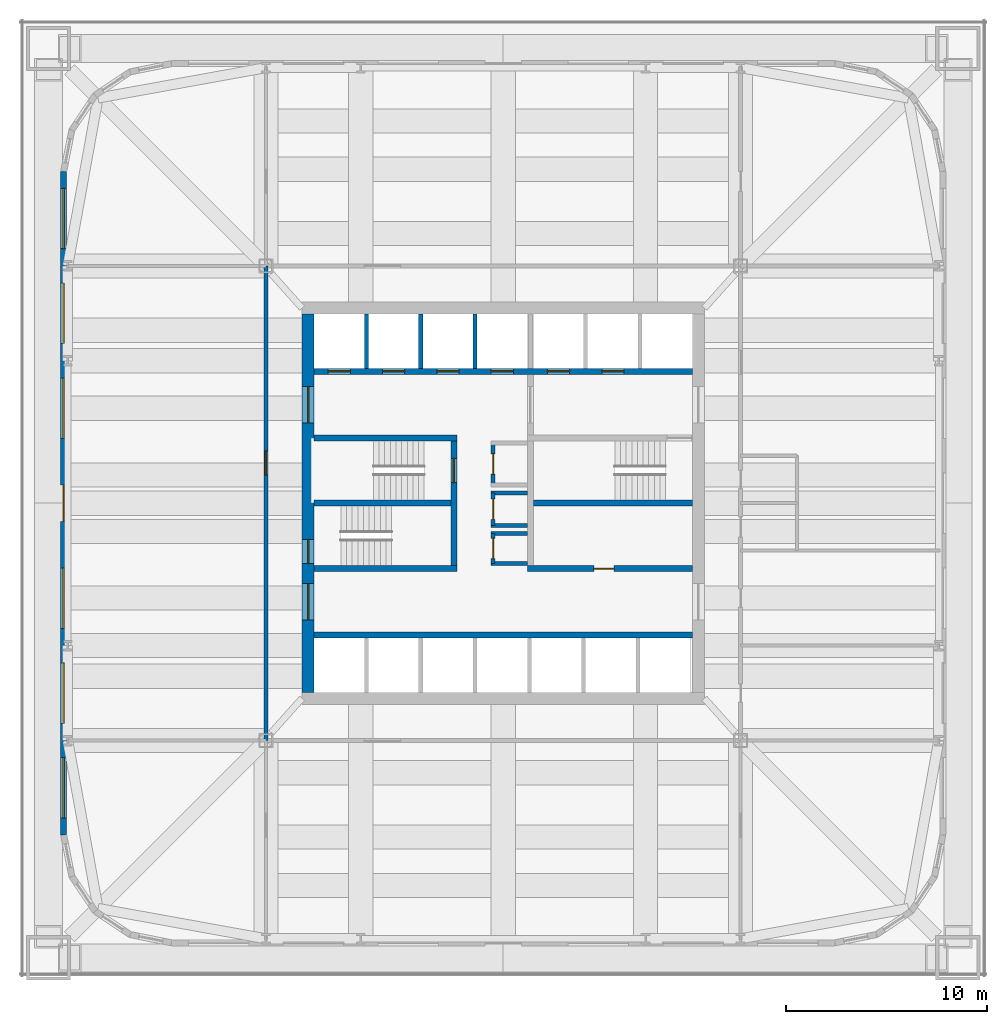
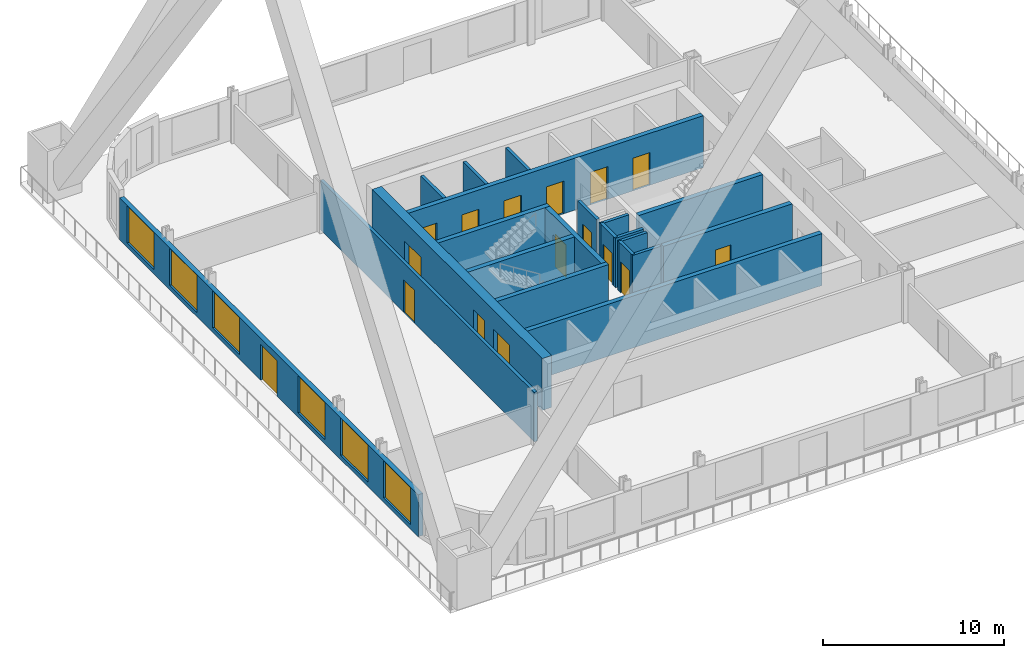
# One storey, part 3 of 7: 21 walls, 16 doors, 6 windows, 22 openings.
"""IFC4 building model written with IfcOpenShell, lengths in metres."""

from ifc_helpers import new_model, si_unit, direction, frame, frame_2d, origin, place, context, subcontext, project, spatial, rectangle, extrude, material, layer, layer_set, type_object, element, fill, save


model = new_model("IFC4")

# Units and contexts
model_context = context("Model", 3, precision=1e-05, world=origin(), true_north=direction((0.0, 1.0)))
body_context = subcontext(model_context, "Body", "Model", "MODEL_VIEW")
ifc_project = project(units=[si_unit("LENGTHUNIT", "METRE"), si_unit("AREAUNIT", "SQUARE_METRE"), si_unit("VOLUMEUNIT", "CUBIC_METRE"), si_unit("PLANEANGLEUNIT", "RADIAN"), si_unit("MASSUNIT", "GRAM", prefix="KILO")], contexts=[model_context])

# Site, building, storey
site_placement = place(None, origin())
site = spatial("IfcSite", under=ifc_project, at=site_placement, CompositionType="ELEMENT")
building_placement = place(site_placement, origin())
building = spatial("IfcBuilding", under=site, at=building_placement, Name="Turquesa Mirador Hotel Tower", CompositionType="ELEMENT")
storey_placement = place(building_placement, frame((0.0, 0.0, 25.0)))
storey = spatial("IfcBuildingStorey", under=building, at=storey_placement, Name="L05", CompositionType="ELEMENT", Elevation=25.0)

# Wall, openings, doors
ifc_material_1 = material(Name="Concrete C50/60", Category="concrete")
ifc_layer_1 = layer(ifc_material_1, 0.300048828125)
ifc_layer_set_1 = layer_set([ifc_layer_1], Name="CORE INNER WALL 300")
wall_type_1 = type_object("IfcWallType", Name="CORE INNER WALL 300", PredefinedType="SHEAR", material=ifc_layer_set_1)
wall_1_placement = place(storey_placement, frame((45.60009765625, 51.550048828125, 0.0), z_axis=(0.0, 0.0, 1.0), x_axis=(1.0, 0.0, 0.0)))
wall_1 = element("IfcWall", 1, at=wall_1_placement, inside=storey, type_object=wall_type_1, Name="Core wall NL", PredefinedType="SHEAR", context=body_context, shape_type="SweptSolid", body=[
    extrude(rectangle(XDim=18.7998046875, YDim=0.300048828125, at=frame_2d((9.39990234375, 0.0))), origin(), (0.0, 0.0, 1.0), 3.5),
])
opening_1_placement = place(wall_1_placement, frame((0.699951171875, 0.0, 0.0)))
opening_1 = element("IfcOpeningElement", 2, at=opening_1_placement, cuts=wall_1, Name="Opening LD", PredefinedType="OPENING", context=body_context, shape_type="SweptSolid", body=[
    extrude(rectangle(XDim=1.10009765625, YDim=2.199951171875, at=frame_2d((0.550048828125, 1.10009765625))), frame((0.0, 0.159912109375, 0.0), z_axis=(0.0, -1.0, 0.0), x_axis=(1.0, 0.0, 0.0)), (0.0, 0.0, 1.0), 0.320068359375),
])
opening_2_placement = place(wall_1_placement, frame((3.39990234375, 0.0, 0.0)))
opening_2 = element("IfcOpeningElement", 3, at=opening_2_placement, cuts=wall_1, Name="Opening LD", PredefinedType="OPENING", context=body_context, shape_type="SweptSolid", body=[
    extrude(rectangle(XDim=1.10009765625, YDim=2.199951171875, at=frame_2d((0.550048828125, 1.10009765625))), frame((0.0, 0.159912109375, 0.0), z_axis=(0.0, -1.0, 0.0), x_axis=(1.0, 0.0, 0.0)), (0.0, 0.0, 1.0), 0.320068359375),
])
opening_3_placement = place(wall_1_placement, frame((6.10009765625, 0.0, 0.0)))
opening_3 = element("IfcOpeningElement", 4, at=opening_3_placement, cuts=wall_1, Name="Opening LD", PredefinedType="OPENING", context=body_context, shape_type="SweptSolid", body=[
    extrude(rectangle(XDim=1.10009765625, YDim=2.199951171875, at=frame_2d((0.550048828125, 1.10009765625))), frame((0.0, 0.159912109375, 0.0), z_axis=(0.0, -1.0, 0.0), x_axis=(1.0, 0.0, 0.0)), (0.0, 0.0, 1.0), 0.320068359375),
])
opening_4_placement = place(wall_1_placement, frame((8.800048828125, 0.0, 0.0)))
opening_4 = element("IfcOpeningElement", 5, at=opening_4_placement, cuts=wall_1, Name="Opening LD", PredefinedType="OPENING", context=body_context, shape_type="SweptSolid", body=[
    extrude(rectangle(XDim=1.10009765625, YDim=2.199951171875, at=frame_2d((0.550048828125, 1.10009765625))), frame((0.0, 0.159912109375, 0.0), z_axis=(0.0, -1.0, 0.0), x_axis=(1.0, 0.0, 0.0)), (0.0, 0.0, 1.0), 0.320068359375),
])
opening_5_placement = place(wall_1_placement, frame((11.60009765625, 0.0, 0.0)))
opening_5 = element("IfcOpeningElement", 6, at=opening_5_placement, cuts=wall_1, Name="Opening LD", PredefinedType="OPENING", context=body_context, shape_type="SweptSolid", body=[
    extrude(rectangle(XDim=1.10009765625, YDim=2.199951171875, at=frame_2d((0.550048828125, 1.10009765625))), frame((0.0, 0.159912109375, 0.0), z_axis=(0.0, -1.0, 0.0), x_axis=(1.0, 0.0, 0.0)), (0.0, 0.0, 1.0), 0.320068359375),
])
opening_6_placement = place(wall_1_placement, frame((14.300048828125, 0.0, 0.0)))
opening_6 = element("IfcOpeningElement", 7, at=opening_6_placement, cuts=wall_1, Name="Opening LD", PredefinedType="OPENING", context=body_context, shape_type="SweptSolid", body=[
    extrude(rectangle(XDim=1.10009765625, YDim=2.199951171875, at=frame_2d((0.550048828125, 1.10009765625))), frame((0.0, 0.159912109375, 0.0), z_axis=(0.0, -1.0, 0.0), x_axis=(1.0, 0.0, 0.0)), (0.0, 0.0, 1.0), 0.320068359375),
])
ifc_material_2 = material(Name="Stainless steel lift landing door", Category="steel")
door_type_1 = type_object("IfcDoorType", Name="LIFT LANDING DOOR 1100X2200", OperationType="SLIDING_TO_LEFT", PredefinedType="DOOR", material=ifc_material_2)
door_1_placement = place(opening_1_placement, origin())
door_1 = element("IfcDoor", 8, at=door_1_placement, inside=storey, type_object=door_type_1, Name="Lift A1 landing door", OperationType="SLIDING_TO_LEFT", OverallHeight=2.199951171875, OverallWidth=1.10009765625, PredefinedType="DOOR", context=body_context, shape_type="SweptSolid", body=[
    extrude(rectangle(XDim=1.10009765625, YDim=2.199951171875, at=frame_2d((0.550048828125, 1.10009765625))), frame((0.0, 0.02490234375, 0.0), z_axis=(0.0, -1.0, 0.0), x_axis=(1.0, 0.0, 0.0)), (0.0, 0.0, 1.0), 0.050048828125),
])
fill(opening_1, door_1)
door_2_placement = place(opening_2_placement, origin())
door_2 = element("IfcDoor", 9, at=door_2_placement, inside=storey, type_object=door_type_1, Name="Lift A2 landing door", OperationType="SLIDING_TO_LEFT", OverallHeight=2.199951171875, OverallWidth=1.10009765625, PredefinedType="DOOR", context=body_context, shape_type="SweptSolid", body=[
    extrude(rectangle(XDim=1.10009765625, YDim=2.199951171875, at=frame_2d((0.550048828125, 1.10009765625))), frame((0.0, 0.02490234375, 0.0), z_axis=(0.0, -1.0, 0.0), x_axis=(1.0, 0.0, 0.0)), (0.0, 0.0, 1.0), 0.050048828125),
])
fill(opening_2, door_2)
door_3_placement = place(opening_3_placement, origin())
door_3 = element("IfcDoor", 10, at=door_3_placement, inside=storey, type_object=door_type_1, Name="Lift A3 landing door", OperationType="SLIDING_TO_LEFT", OverallHeight=2.199951171875, OverallWidth=1.10009765625, PredefinedType="DOOR", context=body_context, shape_type="SweptSolid", body=[
    extrude(rectangle(XDim=1.10009765625, YDim=2.199951171875, at=frame_2d((0.550048828125, 1.10009765625))), frame((0.0, 0.02490234375, 0.0), z_axis=(0.0, -1.0, 0.0), x_axis=(1.0, 0.0, 0.0)), (0.0, 0.0, 1.0), 0.050048828125),
])
fill(opening_3, door_3)
door_4_placement = place(opening_4_placement, origin())
door_4 = element("IfcDoor", 11, at=door_4_placement, inside=storey, type_object=door_type_1, Name="Lift A4 landing door", OperationType="SLIDING_TO_LEFT", OverallHeight=2.199951171875, OverallWidth=1.10009765625, PredefinedType="DOOR", context=body_context, shape_type="SweptSolid", body=[
    extrude(rectangle(XDim=1.10009765625, YDim=2.199951171875, at=frame_2d((0.550048828125, 1.10009765625))), frame((0.0, 0.02490234375, 0.0), z_axis=(0.0, -1.0, 0.0), x_axis=(1.0, 0.0, 0.0)), (0.0, 0.0, 1.0), 0.050048828125),
])
fill(opening_4, door_4)
door_5_placement = place(opening_5_placement, origin())
door_5 = element("IfcDoor", 12, at=door_5_placement, inside=storey, type_object=door_type_1, Name="Lift S1 landing door", OperationType="SLIDING_TO_LEFT", OverallHeight=2.199951171875, OverallWidth=1.10009765625, PredefinedType="DOOR", context=body_context, shape_type="SweptSolid", body=[
    extrude(rectangle(XDim=1.10009765625, YDim=2.199951171875, at=frame_2d((0.550048828125, 1.10009765625))), frame((0.0, 0.02490234375, 0.0), z_axis=(0.0, -1.0, 0.0), x_axis=(1.0, 0.0, 0.0)), (0.0, 0.0, 1.0), 0.050048828125),
])
fill(opening_5, door_5)
door_6_placement = place(opening_6_placement, origin())
door_6 = element("IfcDoor", 13, at=door_6_placement, inside=storey, type_object=door_type_1, Name="Lift S2 landing door", OperationType="SLIDING_TO_LEFT", OverallHeight=2.199951171875, OverallWidth=1.10009765625, PredefinedType="DOOR", context=body_context, shape_type="SweptSolid", body=[
    extrude(rectangle(XDim=1.10009765625, YDim=2.199951171875, at=frame_2d((0.550048828125, 1.10009765625))), frame((0.0, 0.02490234375, 0.0), z_axis=(0.0, -1.0, 0.0), x_axis=(1.0, 0.0, 0.0)), (0.0, 0.0, 1.0), 0.050048828125),
])
fill(opening_6, door_6)

# Walls
wall_2_placement = place(storey_placement, frame((45.60009765625, 38.449951171875, 0.0), z_axis=(0.0, 0.0, 1.0), x_axis=(1.0, 0.0, 0.0)))
element("IfcWall", 14, at=wall_2_placement, inside=storey, type_object=wall_type_1, Name="Core wall SL", PredefinedType="SHEAR", context=body_context, shape_type="SweptSolid", body=[
    extrude(rectangle(XDim=18.7998046875, YDim=0.300048828125, at=frame_2d((9.39990234375, 0.0))), origin(), (0.0, 0.0, 1.0), 3.5),
])
for number, where, z_axis, x_axis, name in (
    (15, (45.60009765625, 48.25, 0.0), (0.0, 0.0, 1.0), (1.0, 0.0, 0.0), "Core wall MN-W"),
    (16, (45.60009765625, 41.75, 0.0), (0.0, 0.0, 1.0), (1.0, 0.0, 0.0), "Core wall MS-W"),
):
    element("IfcWall", number, at=place(storey_placement, frame(where, z_axis=z_axis, x_axis=x_axis)), inside=storey, type_object=wall_type_1, Name=name, PredefinedType="SHEAR", context=body_context, shape_type="SweptSolid", body=[
        extrude(rectangle(XDim=7.099853515625, YDim=0.300048828125, at=frame_2d((3.5498046875, 0.0))), origin(), (0.0, 0.0, 1.0), 3.5),
    ])

# Wall, opening, door
wall_3_placement = place(storey_placement, frame((56.199951171875, 41.75, 0.0), z_axis=(0.0, 0.0, 1.0), x_axis=(1.0, 0.0, 0.0)))
wall_3 = element("IfcWall", 17, at=wall_3_placement, inside=storey, type_object=wall_type_1, Name="Core wall MS-E", PredefinedType="SHEAR", context=body_context, shape_type="SweptSolid", body=[
    extrude(rectangle(XDim=8.199951171875, YDim=0.300048828125, at=frame_2d((4.10009765625, 0.0))), origin(), (0.0, 0.0, 1.0), 3.5),
])
opening_7_placement = place(wall_3_placement, frame((3.300048828125, 0.0, 0.0)))
opening_7 = element("IfcOpeningElement", 18, at=opening_7_placement, cuts=wall_3, Name="Opening D05", PredefinedType="OPENING", context=body_context, shape_type="SweptSolid", body=[
    extrude(rectangle(XDim=1.0, YDim=2.10009765625, at=frame_2d((0.5, 1.050048828125))), frame((0.0, 0.159912109375, 0.0), z_axis=(0.0, -1.0, 0.0), x_axis=(1.0, 0.0, 0.0)), (0.0, 0.0, 1.0), 0.320068359375),
])
ifc_material_3 = material(Name="Steel fire door", Category="steel")
door_type_2 = type_object("IfcDoorType", Name="DOOR 1000X2100 SERVICE", OperationType="SINGLE_SWING_LEFT", PredefinedType="DOOR", material=ifc_material_3)
door_7_placement = place(opening_7_placement, origin())
door_7 = element("IfcDoor", 19, at=door_7_placement, inside=storey, type_object=door_type_2, Name="Housekeeping room door", OperationType="SINGLE_SWING_LEFT", OverallHeight=2.10009765625, OverallWidth=1.0, PredefinedType="DOOR", context=body_context, shape_type="SweptSolid", body=[
    extrude(rectangle(XDim=1.0, YDim=2.10009765625, at=frame_2d((0.5, 1.050048828125))), frame((0.0, 0.02490234375, 0.0), z_axis=(0.0, -1.0, 0.0), x_axis=(1.0, 0.0, 0.0)), (0.0, 0.0, 1.0), 0.050048828125),
])
fill(opening_7, door_7)

wall_4_placement = place(storey_placement, frame((52.550048828125, 41.89990234375, 0.0), z_axis=(0.0, 0.0, 1.0), x_axis=(0.0, 1.0, 0.0)))
wall_4 = element("IfcWall", 20, at=wall_4_placement, inside=storey, type_object=wall_type_1, Name="Core wall PW", PredefinedType="SHEAR", context=body_context, shape_type="SweptSolid", body=[
    extrude(rectangle(XDim=6.2001953125, YDim=0.300048828125, at=frame_2d((3.10009765625, 0.0))), origin(), (0.0, 0.0, 1.0), 3.5),
])
opening_8_placement = place(wall_4_placement, frame((4.125, 0.0, 0.0)))
opening_8 = element("IfcOpeningElement", 21, at=opening_8_placement, cuts=wall_4, Name="Opening D03", PredefinedType="OPENING", context=body_context, shape_type="SweptSolid", body=[
    extrude(rectangle(XDim=1.199951171875, YDim=2.199951171875, at=frame_2d((0.60009765625, 1.10009765625))), frame((0.0, 0.159912109375, 0.0), z_axis=(0.0, -1.0, 0.0), x_axis=(1.0, 0.0, 0.0)), (0.0, 0.0, 1.0), 0.320068359375),
])
ifc_material_4 = material(Name="Steel fire door", Category="steel")
door_type_3 = type_object("IfcDoorType", Name="DOOR 1200X2200 STAIR", OperationType="SINGLE_SWING_LEFT", PredefinedType="DOOR", material=ifc_material_4)
door_8_placement = place(opening_8_placement, origin())
door_8 = element("IfcDoor", 22, at=door_8_placement, inside=storey, type_object=door_type_3, Name="Stair ST1 door", OperationType="SINGLE_SWING_LEFT", OverallHeight=2.199951171875, OverallWidth=1.199951171875, PredefinedType="DOOR", context=body_context, shape_type="SweptSolid", body=[
    extrude(rectangle(XDim=1.199951171875, YDim=2.199951171875, at=frame_2d((0.60009765625, 1.10009765625))), frame((0.0, 0.02490234375, 0.0), z_axis=(0.0, -1.0, 0.0), x_axis=(1.0, 0.0, 0.0)), (0.0, 0.0, 1.0), 0.050048828125),
])
fill(opening_8, door_8)

# Walls
wall_5_placement = place(storey_placement, frame((45.60009765625, 45.0, 0.0), z_axis=(0.0, 0.0, 1.0), x_axis=(1.0, 0.0, 0.0)))
element("IfcWall", 23, at=wall_5_placement, inside=storey, type_object=wall_type_1, Name="Core wall M0-W", PredefinedType="SHEAR", context=body_context, shape_type="SweptSolid", body=[
    extrude(rectangle(XDim=6.7998046875, YDim=0.300048828125, at=frame_2d((3.39990234375, 0.0))), origin(), (0.0, 0.0, 1.0), 3.5),
])
wall_6_placement = place(storey_placement, frame((56.5, 45.0, 0.0), z_axis=(0.0, 0.0, 1.0), x_axis=(1.0, 0.0, 0.0)))
element("IfcWall", 24, at=wall_6_placement, inside=storey, type_object=wall_type_1, Name="Core wall M0-E", PredefinedType="SHEAR", context=body_context, shape_type="SweptSolid", body=[
    extrude(rectangle(XDim=7.89990234375, YDim=0.300048828125, at=frame_2d((3.949951171875, 0.0))), origin(), (0.0, 0.0, 1.0), 3.5),
])

# Wall, openings, doors
ifc_material_5 = material(Name="Concrete C50/60", Category="concrete")
ifc_layer_2 = layer(ifc_material_5, 0.60009765625)
ifc_layer_set_2 = layer_set([ifc_layer_2], Name="CORE WALL 600")
wall_type_2 = type_object("IfcWallType", Name="CORE WALL 600", PredefinedType="SHEAR", material=ifc_layer_set_2)
wall_7_placement = place(storey_placement, frame((45.300048828125, 35.60009765625, 0.0), z_axis=(0.0, 0.0, 1.0), x_axis=(0.0, 1.0, 0.0)))
wall_7 = element("IfcWall", 25, at=wall_7_placement, inside=storey, type_object=wall_type_2, Name="Core wall W", PredefinedType="SHEAR", context=body_context, shape_type="SweptSolid", body=[
    extrude(rectangle(XDim=18.7998046875, YDim=0.60009765625, at=frame_2d((9.39990234375, 0.0))), origin(), (0.0, 0.0, 1.0), 3.5),
])
opening_9_placement = place(wall_7_placement, frame((13.39990234375, 0.0, 0.0)))
opening_9 = element("IfcOpeningElement", 26, at=opening_9_placement, cuts=wall_7, Name="Opening D04", PredefinedType="OPENING", context=body_context, shape_type="SweptSolid", body=[
    extrude(rectangle(XDim=1.800048828125, YDim=2.199951171875, at=frame_2d((0.89990234375, 1.10009765625))), frame((0.0, 0.31005859375, 0.0), z_axis=(0.0, -1.0, 0.0), x_axis=(1.0, 0.0, 0.0)), (0.0, 0.0, 1.0), 0.6201171875),
])
opening_10_placement = place(wall_7_placement, frame((3.60009765625, 0.0, 0.0)))
opening_10 = element("IfcOpeningElement", 27, at=opening_10_placement, cuts=wall_7, Name="Opening D04", PredefinedType="OPENING", context=body_context, shape_type="SweptSolid", body=[
    extrude(rectangle(XDim=1.800048828125, YDim=2.199951171875, at=frame_2d((0.89990234375, 1.10009765625))), frame((0.0, 0.31005859375, 0.0), z_axis=(0.0, -1.0, 0.0), x_axis=(1.0, 0.0, 0.0)), (0.0, 0.0, 1.0), 0.6201171875),
])
opening_11_placement = place(wall_7_placement, frame((6.39990234375, 0.0, 0.0)))
opening_11 = element("IfcOpeningElement", 28, at=opening_11_placement, cuts=wall_7, Name="Opening D03", PredefinedType="OPENING", context=body_context, shape_type="SweptSolid", body=[
    extrude(rectangle(XDim=1.199951171875, YDim=2.199951171875, at=frame_2d((0.60009765625, 1.10009765625))), frame((0.0, 0.31005859375, 0.0), z_axis=(0.0, -1.0, 0.0), x_axis=(1.0, 0.0, 0.0)), (0.0, 0.0, 1.0), 0.6201171875),
])
door_9_placement = place(opening_11_placement, origin())
door_9 = element("IfcDoor", 29, at=door_9_placement, inside=storey, type_object=door_type_3, Name="Stair ST2 door", OperationType="SINGLE_SWING_LEFT", OverallHeight=2.199951171875, OverallWidth=1.199951171875, PredefinedType="DOOR", context=body_context, shape_type="SweptSolid", body=[
    extrude(rectangle(XDim=1.199951171875, YDim=2.199951171875, at=frame_2d((0.60009765625, 1.10009765625))), frame((0.0, 0.02490234375, 0.0), z_axis=(0.0, -1.0, 0.0), x_axis=(1.0, 0.0, 0.0)), (0.0, 0.0, 1.0), 0.050048828125),
])
fill(opening_11, door_9)
ifc_material_6 = material(Name="Steel fire door pair", Category="steel")
door_type_4 = type_object("IfcDoorType", Name="DOOR 1800X2200 PAIR", OperationType="DOUBLE_DOOR_SINGLE_SWING", PredefinedType="DOOR", material=ifc_material_6)
door_10_placement = place(opening_9_placement, origin())
door_10 = element("IfcDoor", 30, at=door_10_placement, inside=storey, type_object=door_type_4, Name="North lift lobby door", OperationType="DOUBLE_DOOR_SINGLE_SWING", OverallHeight=2.199951171875, OverallWidth=1.800048828125, PredefinedType="DOOR", context=body_context, shape_type="SweptSolid", body=[
    extrude(rectangle(XDim=1.800048828125, YDim=2.199951171875, at=frame_2d((0.89990234375, 1.10009765625))), frame((0.0, 0.02490234375, 0.0), z_axis=(0.0, -1.0, 0.0), x_axis=(1.0, 0.0, 0.0)), (0.0, 0.0, 1.0), 0.050048828125),
])
fill(opening_9, door_10)
door_11_placement = place(opening_10_placement, origin())
door_11 = element("IfcDoor", 31, at=door_11_placement, inside=storey, type_object=door_type_4, Name="South lift lobby door", OperationType="DOUBLE_DOOR_SINGLE_SWING", OverallHeight=2.199951171875, OverallWidth=1.800048828125, PredefinedType="DOOR", context=body_context, shape_type="SweptSolid", body=[
    extrude(rectangle(XDim=1.800048828125, YDim=2.199951171875, at=frame_2d((0.89990234375, 1.10009765625))), frame((0.0, 0.02490234375, 0.0), z_axis=(0.0, -1.0, 0.0), x_axis=(1.0, 0.0, 0.0)), (0.0, 0.0, 1.0), 0.050048828125),
])
fill(opening_10, door_11)

# Wall, opening, door
ifc_material_7 = material(Name="Fire-rated gypsum board on steel studs", Category="steel")
ifc_layer_3 = layer(ifc_material_7, 0.199951171875)
ifc_layer_set_3 = layer_set([ifc_layer_3], Name="CORRIDOR WALL 200")
wall_type_3 = type_object("IfcWallType", Name="CORRIDOR WALL 200", PredefinedType="PARTITIONING", material=ifc_layer_set_3)
wall_8_placement = place(storey_placement, frame((43.199951171875, 33.199951171875, 0.0), z_axis=(0.0, 0.0, 1.0), x_axis=(0.0, 1.0, 0.0)))
wall_8 = element("IfcWall", 32, at=wall_8_placement, inside=storey, type_object=wall_type_3, Name="Partition L05 011", PredefinedType="PARTITIONING", context=body_context, shape_type="SweptSolid", body=[
    extrude(rectangle(XDim=23.60009765625, YDim=0.199951171875, at=frame_2d((11.800048828125, 0.0))), origin(), (0.0, 0.0, 1.0), 3.330078125),
])
opening_12_placement = place(wall_8_placement, frame((13.199951171875, 0.0, 0.0)))
opening_12 = element("IfcOpeningElement", 33, at=opening_12_placement, cuts=wall_8, Name="Opening D09", PredefinedType="OPENING", context=body_context, shape_type="SweptSolid", body=[
    extrude(rectangle(XDim=1.199951171875, YDim=2.199951171875, at=frame_2d((0.60009765625, 1.10009765625))), frame((0.0, 0.10986328125, 0.0), z_axis=(0.0, -1.0, 0.0), x_axis=(1.0, 0.0, 0.0)), (0.0, 0.0, 1.0), 0.219970703125),
])
ifc_material_8 = material(Name="Timber door", Category="wood")
door_type_5 = type_object("IfcDoorType", Name="DOOR 1200X2200 OFFICE", OperationType="SINGLE_SWING_LEFT", PredefinedType="DOOR", material=ifc_material_8)
door_12_placement = place(opening_12_placement, origin())
door_12 = element("IfcDoor", 34, at=door_12_placement, inside=storey, type_object=door_type_5, Name="Door L05-05", OperationType="SINGLE_SWING_LEFT", OverallHeight=2.199951171875, OverallWidth=1.199951171875, PredefinedType="DOOR", context=body_context, shape_type="SweptSolid", body=[
    extrude(rectangle(XDim=1.199951171875, YDim=2.199951171875, at=frame_2d((0.60009765625, 1.10009765625))), frame((0.0, 0.02490234375, 0.0), z_axis=(0.0, -1.0, 0.0), x_axis=(1.0, 0.0, 0.0)), (0.0, 0.0, 1.0), 0.050048828125),
])
fill(opening_12, door_12)

# Wall, openings, windows, door
ifc_material_9 = material(Name="Limestone cladding on concrete block", Category="masonry")
ifc_layer_4 = layer(ifc_material_9, 0.300048828125)
ifc_layer_set_4 = layer_set([ifc_layer_4], Name="FACADE WALL 300 STONE SCREEN")
wall_type_4 = type_object("IfcWallType", Name="FACADE WALL 300 STONE SCREEN", PredefinedType="SOLIDWALL", material=ifc_layer_set_4)
wall_9_placement = place(storey_placement, frame((33.14990234375, 61.5, 0.0), z_axis=(0.0, 0.0, 1.0), x_axis=(0.0, -1.0, 0.0)))
wall_9 = element("IfcWall", 35, at=wall_9_placement, inside=storey, type_object=wall_type_4, Name="Facade wall L05 14", PredefinedType="SOLIDWALL", context=body_context, shape_type="SweptSolid", body=[
    extrude(rectangle(XDim=33.0, YDim=0.300048828125, at=frame_2d((16.5, 0.0))), origin(), (0.0, 0.0, 1.0), 2.830078125),
])
opening_13_placement = place(wall_9_placement, frame((0.85009765625, 0.0, 0.300048828125)))
opening_13 = element("IfcOpeningElement", 36, at=opening_13_placement, cuts=wall_9, Name="Opening WN5", PredefinedType="OPENING", context=body_context, shape_type="SweptSolid", body=[
    extrude(rectangle(XDim=3.0, YDim=2.5, at=frame_2d((1.5, 1.25))), frame((0.0, 0.159912109375, 0.0), z_axis=(0.0, -1.0, 0.0), x_axis=(1.0, 0.0, 0.0)), (0.0, 0.0, 1.0), 0.320068359375),
])
opening_14_placement = place(wall_9_placement, frame((5.56005859375, 0.0, 0.300048828125)))
opening_14 = element("IfcOpeningElement", 37, at=opening_14_placement, cuts=wall_9, Name="Opening WN5", PredefinedType="OPENING", context=body_context, shape_type="SweptSolid", body=[
    extrude(rectangle(XDim=3.0, YDim=2.5, at=frame_2d((1.5, 1.25))), frame((0.0, 0.159912109375, 0.0), z_axis=(0.0, -1.0, 0.0), x_axis=(1.0, 0.0, 0.0)), (0.0, 0.0, 1.0), 0.320068359375),
])
opening_15_placement = place(wall_9_placement, frame((10.280029296875, 0.0, 0.300048828125)))
opening_15 = element("IfcOpeningElement", 38, at=opening_15_placement, cuts=wall_9, Name="Opening WN5", PredefinedType="OPENING", context=body_context, shape_type="SweptSolid", body=[
    extrude(rectangle(XDim=3.0, YDim=2.5, at=frame_2d((1.5, 1.25))), frame((0.0, 0.159912109375, 0.0), z_axis=(0.0, -1.0, 0.0), x_axis=(1.0, 0.0, 0.0)), (0.0, 0.0, 1.0), 0.320068359375),
])
opening_16_placement = place(wall_9_placement, frame((15.60009765625, 0.0, 0.0)))
opening_16 = element("IfcOpeningElement", 39, at=opening_16_placement, cuts=wall_9, Name="Opening D10", PredefinedType="OPENING", context=body_context, shape_type="SweptSolid", body=[
    extrude(rectangle(XDim=1.800048828125, YDim=2.39990234375, at=frame_2d((0.89990234375, 1.199951171875))), frame((0.0, 0.159912109375, 0.0), z_axis=(0.0, -1.0, 0.0), x_axis=(1.0, 0.0, 0.0)), (0.0, 0.0, 1.0), 0.320068359375),
])
opening_17_placement = place(wall_9_placement, frame((19.719970703125, 0.0, 0.300048828125)))
opening_17 = element("IfcOpeningElement", 40, at=opening_17_placement, cuts=wall_9, Name="Opening WN5", PredefinedType="OPENING", context=body_context, shape_type="SweptSolid", body=[
    extrude(rectangle(XDim=3.0, YDim=2.5, at=frame_2d((1.5, 1.25))), frame((0.0, 0.159912109375, 0.0), z_axis=(0.0, -1.0, 0.0), x_axis=(1.0, 0.0, 0.0)), (0.0, 0.0, 1.0), 0.320068359375),
])
opening_18_placement = place(wall_9_placement, frame((24.43994140625, 0.0, 0.300048828125)))
opening_18 = element("IfcOpeningElement", 41, at=opening_18_placement, cuts=wall_9, Name="Opening WN5", PredefinedType="OPENING", context=body_context, shape_type="SweptSolid", body=[
    extrude(rectangle(XDim=3.0, YDim=2.5, at=frame_2d((1.5, 1.25))), frame((0.0, 0.159912109375, 0.0), z_axis=(0.0, -1.0, 0.0), x_axis=(1.0, 0.0, 0.0)), (0.0, 0.0, 1.0), 0.320068359375),
])
opening_19_placement = place(wall_9_placement, frame((29.14990234375, 0.0, 0.300048828125)))
opening_19 = element("IfcOpeningElement", 42, at=opening_19_placement, cuts=wall_9, Name="Opening WN5", PredefinedType="OPENING", context=body_context, shape_type="SweptSolid", body=[
    extrude(rectangle(XDim=3.0, YDim=2.5, at=frame_2d((1.5, 1.25))), frame((0.0, 0.159912109375, 0.0), z_axis=(0.0, -1.0, 0.0), x_axis=(1.0, 0.0, 0.0)), (0.0, 0.0, 1.0), 0.320068359375),
])
ifc_material_10 = material(Name="Ceramic-fritted laminated glass", Category="glass")
window_type = type_object("IfcWindowType", Name="AMENITY WINDOW 3000X2500", PartitioningType="SINGLE_PANEL", PredefinedType="WINDOW", material=ifc_material_10)
window_1_placement = place(opening_13_placement, origin())
window_1 = element("IfcWindow", 43, at=window_1_placement, inside=storey, type_object=window_type, Name="Window L05", OverallHeight=2.5, OverallWidth=3.0, PartitioningType="SINGLE_PANEL", PredefinedType="WINDOW", context=body_context, shape_type="SweptSolid", body=[
    extrude(rectangle(XDim=3.0, YDim=2.5, at=frame_2d((1.5, 1.25))), frame((0.0, 0.030029296875, 0.0), z_axis=(0.0, -1.0, 0.0), x_axis=(1.0, 0.0, 0.0)), (0.0, 0.0, 1.0), 0.06005859375),
])
fill(opening_13, window_1)
window_2_placement = place(opening_14_placement, origin())
window_2 = element("IfcWindow", 44, at=window_2_placement, inside=storey, type_object=window_type, Name="Window L05", OverallHeight=2.5, OverallWidth=3.0, PartitioningType="SINGLE_PANEL", PredefinedType="WINDOW", context=body_context, shape_type="SweptSolid", body=[
    extrude(rectangle(XDim=3.0, YDim=2.5, at=frame_2d((1.5, 1.25))), frame((0.0, 0.030029296875, 0.0), z_axis=(0.0, -1.0, 0.0), x_axis=(1.0, 0.0, 0.0)), (0.0, 0.0, 1.0), 0.06005859375),
])
fill(opening_14, window_2)
window_3_placement = place(opening_15_placement, origin())
window_3 = element("IfcWindow", 45, at=window_3_placement, inside=storey, type_object=window_type, Name="Window L05", OverallHeight=2.5, OverallWidth=3.0, PartitioningType="SINGLE_PANEL", PredefinedType="WINDOW", context=body_context, shape_type="SweptSolid", body=[
    extrude(rectangle(XDim=3.0, YDim=2.5, at=frame_2d((1.5, 1.25))), frame((0.0, 0.030029296875, 0.0), z_axis=(0.0, -1.0, 0.0), x_axis=(1.0, 0.0, 0.0)), (0.0, 0.0, 1.0), 0.06005859375),
])
fill(opening_15, window_3)
window_4_placement = place(opening_17_placement, origin())
window_4 = element("IfcWindow", 46, at=window_4_placement, inside=storey, type_object=window_type, Name="Window L05", OverallHeight=2.5, OverallWidth=3.0, PartitioningType="SINGLE_PANEL", PredefinedType="WINDOW", context=body_context, shape_type="SweptSolid", body=[
    extrude(rectangle(XDim=3.0, YDim=2.5, at=frame_2d((1.5, 1.25))), frame((0.0, 0.030029296875, 0.0), z_axis=(0.0, -1.0, 0.0), x_axis=(1.0, 0.0, 0.0)), (0.0, 0.0, 1.0), 0.06005859375),
])
fill(opening_17, window_4)
window_5_placement = place(opening_18_placement, origin())
window_5 = element("IfcWindow", 47, at=window_5_placement, inside=storey, type_object=window_type, Name="Window L05", OverallHeight=2.5, OverallWidth=3.0, PartitioningType="SINGLE_PANEL", PredefinedType="WINDOW", context=body_context, shape_type="SweptSolid", body=[
    extrude(rectangle(XDim=3.0, YDim=2.5, at=frame_2d((1.5, 1.25))), frame((0.0, 0.030029296875, 0.0), z_axis=(0.0, -1.0, 0.0), x_axis=(1.0, 0.0, 0.0)), (0.0, 0.0, 1.0), 0.06005859375),
])
fill(opening_18, window_5)
window_6_placement = place(opening_19_placement, origin())
window_6 = element("IfcWindow", 48, at=window_6_placement, inside=storey, type_object=window_type, Name="Window L05", OverallHeight=2.5, OverallWidth=3.0, PartitioningType="SINGLE_PANEL", PredefinedType="WINDOW", context=body_context, shape_type="SweptSolid", body=[
    extrude(rectangle(XDim=3.0, YDim=2.5, at=frame_2d((1.5, 1.25))), frame((0.0, 0.030029296875, 0.0), z_axis=(0.0, -1.0, 0.0), x_axis=(1.0, 0.0, 0.0)), (0.0, 0.0, 1.0), 0.06005859375),
])
fill(opening_19, window_6)
ifc_material_11 = material(Name="Aluminium glazed sliding door", Category="aluminium")
door_type_6 = type_object("IfcDoorType", Name="TERRACE DOOR 1800X2400 GLAZED", OperationType="SLIDING_TO_LEFT", PredefinedType="DOOR", material=ifc_material_11)
door_13_placement = place(opening_16_placement, origin())
door_13 = element("IfcDoor", 49, at=door_13_placement, inside=storey, type_object=door_type_6, Name="Terrace door L05", OperationType="SLIDING_TO_LEFT", OverallHeight=2.39990234375, OverallWidth=1.800048828125, PredefinedType="DOOR", context=body_context, shape_type="SweptSolid", body=[
    extrude(rectangle(XDim=1.800048828125, YDim=2.39990234375, at=frame_2d((0.89990234375, 1.199951171875))), frame((0.0, 0.02490234375, 0.0), z_axis=(0.0, -1.0, 0.0), x_axis=(1.0, 0.0, 0.0)), (0.0, 0.0, 1.0), 0.050048828125),
])
fill(opening_16, door_13)

# Wall, opening, door
ifc_material_12 = material(Name="Fire-rated gypsum board on steel studs", Category="steel")
ifc_layer_5 = layer(ifc_material_12, 0.199951171875)
ifc_layer_set_5 = layer_set([ifc_layer_5], Name="FIRE PARTITION 200")
wall_type_5 = type_object("IfcWallType", Name="FIRE PARTITION 200", PredefinedType="PARTITIONING", material=ifc_layer_set_5)
wall_10_placement = place(storey_placement, frame((54.5, 42.0, 0.0), z_axis=(0.0, 0.0, 1.0), x_axis=(0.0, 1.0, 0.0)))
wall_10 = element("IfcWall", 50, at=wall_10_placement, inside=storey, type_object=wall_type_5, Name="Partition L05 BP W", PredefinedType="PARTITIONING", context=body_context, shape_type="SweptSolid", body=[
    extrude(rectangle(XDim=1.5, YDim=0.199951171875, at=frame_2d((0.75, 0.0))), origin(), (0.0, 0.0, 1.0), 3.330078125),
])
opening_20_placement = place(wall_10_placement, frame((0.25, 0.0, 0.0)))
opening_20 = element("IfcOpeningElement", 51, at=opening_20_placement, cuts=wall_10, Name="Opening D05", PredefinedType="OPENING", context=body_context, shape_type="SweptSolid", body=[
    extrude(rectangle(XDim=1.0, YDim=2.10009765625, at=frame_2d((0.5, 1.050048828125))), frame((0.0, 0.10986328125, 0.0), z_axis=(0.0, -1.0, 0.0), x_axis=(1.0, 0.0, 0.0)), (0.0, 0.0, 1.0), 0.219970703125),
])
door_14_placement = place(opening_20_placement, origin())
door_14 = element("IfcDoor", 52, at=door_14_placement, inside=storey, type_object=door_type_2, Name="Lounge pantry door", OperationType="SINGLE_SWING_LEFT", OverallHeight=2.10009765625, OverallWidth=1.0, PredefinedType="DOOR", context=body_context, shape_type="SweptSolid", body=[
    extrude(rectangle(XDim=1.0, YDim=2.10009765625, at=frame_2d((0.5, 1.050048828125))), frame((0.0, 0.02490234375, 0.0), z_axis=(0.0, -1.0, 0.0), x_axis=(1.0, 0.0, 0.0)), (0.0, 0.0, 1.0), 0.050048828125),
])
fill(opening_20, door_14)

# Walls
for number, where, z_axis, x_axis, name in (
    (53, (54.39990234375, 42.0, 0.0), (0.0, 0.0, 1.0), (1.0, 0.0, 0.0), "Partition L05 BP S"),
    (54, (54.39990234375, 43.5, 0.0), (0.0, 0.0, 1.0), (1.0, 0.0, 0.0), "Partition L05 BP N"),
):
    element("IfcWall", number, at=place(storey_placement, frame(where, z_axis=z_axis, x_axis=x_axis)), inside=storey, type_object=wall_type_5, Name=name, PredefinedType="PARTITIONING", context=body_context, shape_type="SweptSolid", body=[
        extrude(rectangle(XDim=1.800048828125, YDim=0.199951171875, at=frame_2d((0.89990234375, 0.0))), origin(), (0.0, 0.0, 1.0), 3.330078125),
    ])

# Wall, opening, door
wall_11_placement = place(storey_placement, frame((54.5, 43.89990234375, 0.0), z_axis=(0.0, 0.0, 1.0), x_axis=(0.0, 1.0, 0.0)))
wall_11 = element("IfcWall", 55, at=wall_11_placement, inside=storey, type_object=wall_type_5, Name="Partition L05 SW W", PredefinedType="PARTITIONING", context=body_context, shape_type="SweptSolid", body=[
    extrude(rectangle(XDim=1.60009765625, YDim=0.199951171875, at=frame_2d((0.800048828125, 0.0))), origin(), (0.0, 0.0, 1.0), 3.330078125),
])
opening_21_placement = place(wall_11_placement, frame((0.300048828125, 0.0, 0.0)))
opening_21 = element("IfcOpeningElement", 56, at=opening_21_placement, cuts=wall_11, Name="Opening D05", PredefinedType="OPENING", context=body_context, shape_type="SweptSolid", body=[
    extrude(rectangle(XDim=1.0, YDim=2.10009765625, at=frame_2d((0.5, 1.050048828125))), frame((0.0, 0.10986328125, 0.0), z_axis=(0.0, -1.0, 0.0), x_axis=(1.0, 0.0, 0.0)), (0.0, 0.0, 1.0), 0.219970703125),
])
door_15_placement = place(opening_21_placement, origin())
door_15 = element("IfcDoor", 57, at=door_15_placement, inside=storey, type_object=door_type_2, Name="Staff WC door", OperationType="SINGLE_SWING_LEFT", OverallHeight=2.10009765625, OverallWidth=1.0, PredefinedType="DOOR", context=body_context, shape_type="SweptSolid", body=[
    extrude(rectangle(XDim=1.0, YDim=2.10009765625, at=frame_2d((0.5, 1.050048828125))), frame((0.0, 0.02490234375, 0.0), z_axis=(0.0, -1.0, 0.0), x_axis=(1.0, 0.0, 0.0)), (0.0, 0.0, 1.0), 0.050048828125),
])
fill(opening_21, door_15)

# Walls
for number, where, z_axis, x_axis, name in (
    (58, (54.39990234375, 43.89990234375, 0.0), (0.0, 0.0, 1.0), (1.0, 0.0, 0.0), "Partition L05 SW S"),
    (59, (54.39990234375, 45.5, 0.0), (0.0, 0.0, 1.0), (1.0, 0.0, 0.0), "Partition L05 SW N"),
):
    element("IfcWall", number, at=place(storey_placement, frame(where, z_axis=z_axis, x_axis=x_axis)), inside=storey, type_object=wall_type_5, Name=name, PredefinedType="PARTITIONING", context=body_context, shape_type="SweptSolid", body=[
        extrude(rectangle(XDim=1.800048828125, YDim=0.199951171875, at=frame_2d((0.89990234375, 0.0))), origin(), (0.0, 0.0, 1.0), 3.330078125),
    ])

# Wall, opening, door
wall_12_placement = place(storey_placement, frame((54.5, 45.89990234375, 0.0), z_axis=(0.0, 0.0, 1.0), x_axis=(0.0, 1.0, 0.0)))
wall_12 = element("IfcWall", 60, at=wall_12_placement, inside=storey, type_object=wall_type_5, Name="Partition L05 BO W", PredefinedType="PARTITIONING", context=body_context, shape_type="SweptSolid", body=[
    extrude(rectangle(XDim=2.10009765625, YDim=0.199951171875, at=frame_2d((1.050048828125, 0.0))), origin(), (0.0, 0.0, 1.0), 3.330078125),
])
opening_22_placement = place(wall_12_placement, frame((0.550048828125, 0.0, 0.0)))
opening_22 = element("IfcOpeningElement", 61, at=opening_22_placement, cuts=wall_12, Name="Opening D05", PredefinedType="OPENING", context=body_context, shape_type="SweptSolid", body=[
    extrude(rectangle(XDim=1.0, YDim=2.10009765625, at=frame_2d((0.5, 1.050048828125))), frame((0.0, 0.10986328125, 0.0), z_axis=(0.0, -1.0, 0.0), x_axis=(1.0, 0.0, 0.0)), (0.0, 0.0, 1.0), 0.219970703125),
])
door_16_placement = place(opening_22_placement, origin())
door_16 = element("IfcDoor", 62, at=door_16_placement, inside=storey, type_object=door_type_2, Name="Butler's pantry door", OperationType="SINGLE_SWING_LEFT", OverallHeight=2.10009765625, OverallWidth=1.0, PredefinedType="DOOR", context=body_context, shape_type="SweptSolid", body=[
    extrude(rectangle(XDim=1.0, YDim=2.10009765625, at=frame_2d((0.5, 1.050048828125))), frame((0.0, 0.02490234375, 0.0), z_axis=(0.0, -1.0, 0.0), x_axis=(1.0, 0.0, 0.0)), (0.0, 0.0, 1.0), 0.050048828125),
])
fill(opening_22, door_16)

# Walls
ifc_material_13 = material(Name="Fire-rated gypsum shaft wall on steel studs", Category="steel")
ifc_layer_6 = layer(ifc_material_13, 0.199951171875)
ifc_layer_set_6 = layer_set([ifc_layer_6], Name="LIFT SHAFT DIVIDER 200")
wall_type_6 = type_object("IfcWallType", Name="LIFT SHAFT DIVIDER 200", PredefinedType="PARTITIONING", material=ifc_layer_set_6)
for number, where, z_axis, x_axis, name in (
    (63, (48.199951171875, 51.699951171875, 0.0), (0.0, 0.0, 1.0), (0.0, 1.0, 0.0), "Lift shaft divider"),
    (64, (50.89990234375, 51.699951171875, 0.0), (0.0, 0.0, 1.0), (0.0, 1.0, 0.0), "Lift shaft divider"),
    (65, (53.60009765625, 51.699951171875, 0.0), (0.0, 0.0, 1.0), (0.0, 1.0, 0.0), "Lift shaft divider"),
):
    element("IfcWall", number, at=place(storey_placement, frame(where, z_axis=z_axis, x_axis=x_axis)), inside=storey, type_object=wall_type_6, Name=name, PredefinedType="PARTITIONING", context=body_context, shape_type="SweptSolid", body=[
        extrude(rectangle(XDim=2.699951171875, YDim=0.199951171875, at=frame_2d((1.35009765625, 0.0))), origin(), (0.0, 0.0, 1.0), 3.330078125),
    ])

save(model, "model.ifc")
